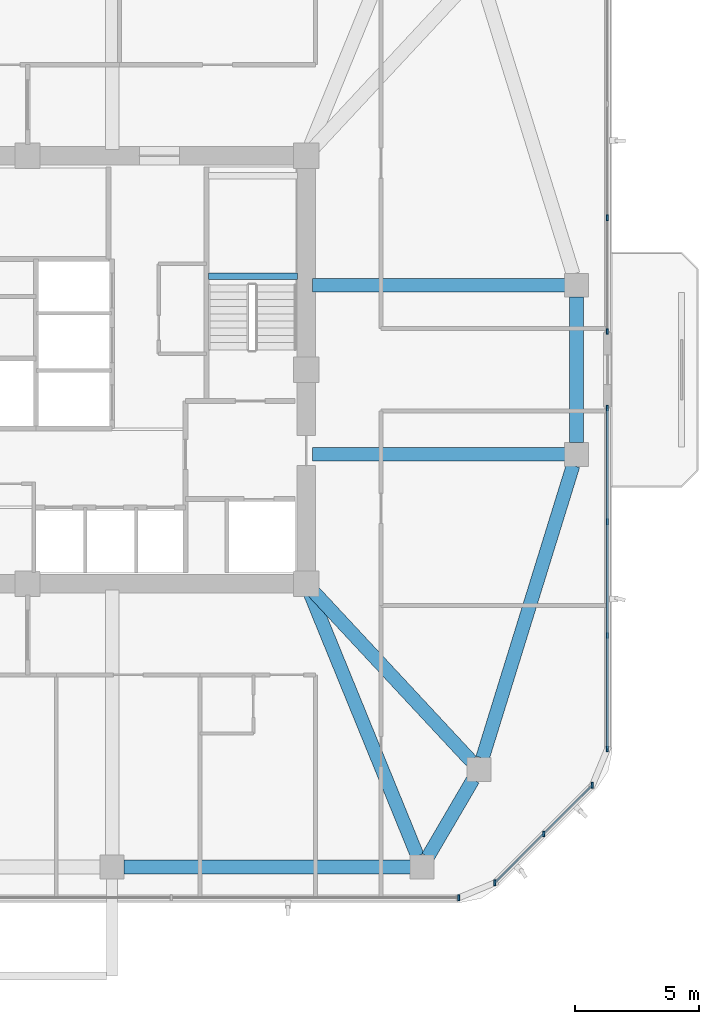
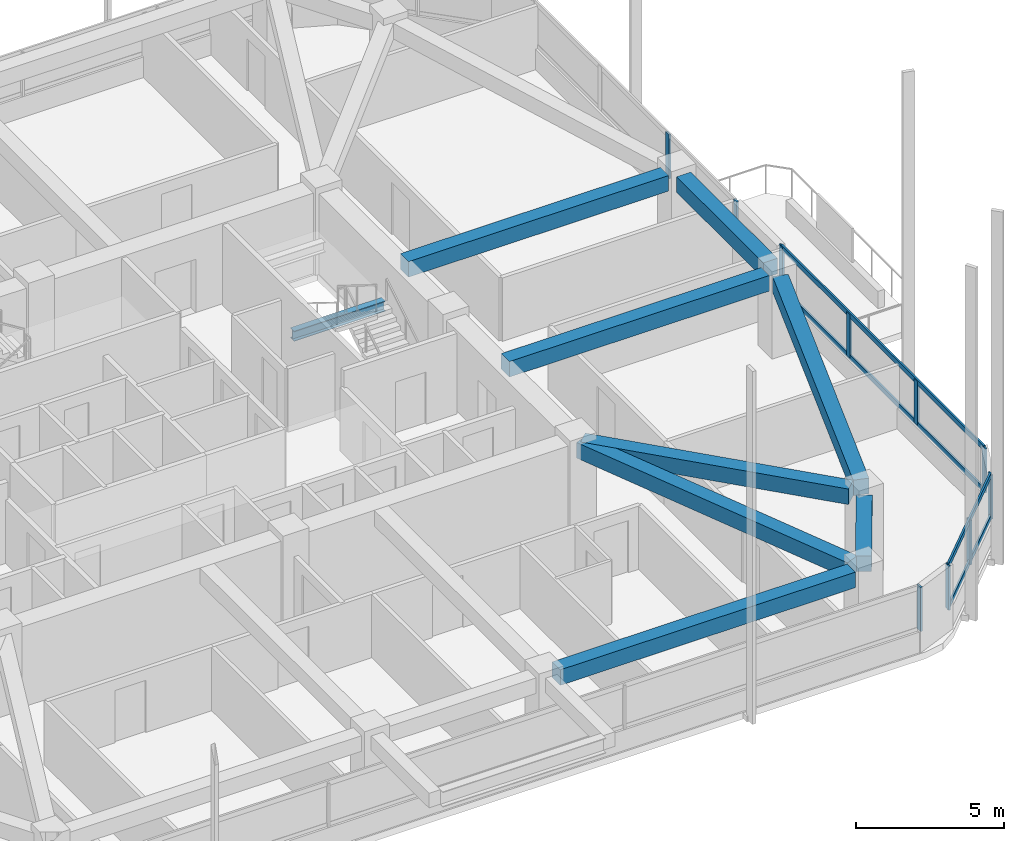
# One storey, part 4 of 14: 14 members, 9 beams, 4 elements without a shape of their own.
"""IFC4 building model written with IfcOpenShell, lengths in metres."""

from ifc_helpers import new_model, si_unit, derived_unit, direction, frame, origin, origin_2d, place, context, subcontext, project, spatial, rectangle, i_section, extrude, material, material_profile, profile_set, type_object, element, aggregate, save


model = new_model("IFC4")

# Units and contexts
model_context = context("Model", 3, precision=1e-05, world=origin(), true_north=direction((0.0, 1.0)))
body_context = subcontext(model_context, "Body", "Model", "MODEL_VIEW")
ifc_project = project(units=[si_unit("LENGTHUNIT", "METRE"), si_unit("AREAUNIT", "SQUARE_METRE"), si_unit("VOLUMEUNIT", "CUBIC_METRE"), si_unit("PLANEANGLEUNIT", "RADIAN"), si_unit("MASSUNIT", "GRAM", prefix="KILO"), derived_unit("THERMALTRANSMITTANCEUNIT", [(si_unit("POWERUNIT", "WATT"), 1), (si_unit("LENGTHUNIT", "METRE"), -2), (si_unit("THERMODYNAMICTEMPERATUREUNIT", "KELVIN"), -1)])], contexts=[model_context])

# Site, building, storey
site_placement = place(None, origin())
site = spatial("IfcSite", under=ifc_project, at=site_placement, CompositionType="ELEMENT")
building_placement = place(site_placement, origin())
building = spatial("IfcBuilding", under=site, at=building_placement, Name="Koralith Skygarden Medical Center", CompositionType="ELEMENT")
storey_placement = place(building_placement, frame((0.0, 0.0, 160.02001953125)))
storey = spatial("IfcBuildingStorey", under=building, at=storey_placement, Name="L41", CompositionType="ELEMENT", Elevation=160.02001953125)

# Curtain wall, member
ifc_material_1 = material(Name="Clear Laminated Glass", Category="glass")
curtain_wall_type = type_object("IfcCurtainWallType", Name="CW-4 Zone 3 Waist High-Wind Curtain Wall", PredefinedType="NOTDEFINED", material=ifc_material_1)
curtain_wall_1_placement = place(storey_placement, origin())
curtain_wall_1 = element("IfcCurtainWall", 1, at=curtain_wall_1_placement, inside=storey, type_object=curtain_wall_type, Name="Curtain Wall CW-L41-S", PredefinedType="NOTDEFINED")
ifc_material_2 = material(Name="Aluminium 6063-T6", Category="aluminium")
ifc_material_profile_1 = material_profile(ifc_material_2, rectangle(XDim=0.076904296875, YDim=0.22998046875, at=origin_2d()), Name="MUL77X230")
ifc_profile_set_1 = profile_set([ifc_material_profile_1], Name="Aluminium 6063-T6")
member_type_1 = type_object("IfcMemberType", Name="CW-4 Extruded Mullion 77x230", PredefinedType="MULLION", material=ifc_profile_set_1)
member_1_placement = place(storey_placement, frame((54.3291015625, 4.679931640625, 0.85009765625), z_axis=(0.0, 0.0, 1.0), x_axis=(1.0, 0.0, 0.0)))
member_1 = element("IfcMember", 2, at=member_1_placement, type_object=member_type_1, Name="CW-L41-S Mullion 4", PredefinedType="MULLION", context=body_context, shape_type="SweptSolid", body=[
    extrude(rectangle(XDim=0.076904296875, YDim=0.22998046875, at=origin_2d()), origin(), (0.0, 0.0, 1.0), 1.81982421875),
])
aggregate(curtain_wall_1, [member_1])

# Curtain wall, members
curtain_wall_2_placement = place(storey_placement, origin())
curtain_wall_2 = element("IfcCurtainWall", 3, at=curtain_wall_2_placement, inside=storey, type_object=curtain_wall_type, Name="Curtain Wall CW-L41-SE", PredefinedType="NOTDEFINED")
member_2_placement = place(storey_placement, frame((55.780029296875, 5.281005859375, 0.85009765625), z_axis=(0.0, 0.0, 1.0), x_axis=(1.0, 0.0, 0.0)))
member_2 = element("IfcMember", 4, at=member_2_placement, type_object=member_type_1, Name="CW-L41-SE Mullion 1", PredefinedType="MULLION", context=body_context, shape_type="SweptSolid", body=[
    extrude(rectangle(XDim=0.076904296875, YDim=0.22998046875, at=origin_2d()), origin(), (0.0, 0.0, 1.0), 1.81982421875),
])
member_3_placement = place(storey_placement, frame((57.741943359375, 7.241943359375, 0.85009765625), z_axis=(0.0, 0.0, 1.0), x_axis=(1.0, 0.0, 0.0)))
member_3 = element("IfcMember", 5, at=member_3_placement, type_object=member_type_1, Name="CW-L41-SE Mullion 2", PredefinedType="MULLION", context=body_context, shape_type="SweptSolid", body=[
    extrude(rectangle(XDim=0.076904296875, YDim=0.22998046875, at=origin_2d()), origin(), (0.0, 0.0, 1.0), 1.81982421875),
])
member_4_placement = place(storey_placement, frame((59.702880859375, 9.2041015625, 0.85009765625), z_axis=(0.0, 0.0, 1.0), x_axis=(1.0, 0.0, 0.0)))
member_4 = element("IfcMember", 6, at=member_4_placement, type_object=member_type_1, Name="CW-L41-SE Mullion 3", PredefinedType="MULLION", context=body_context, shape_type="SweptSolid", body=[
    extrude(rectangle(XDim=0.076904296875, YDim=0.22998046875, at=origin_2d()), origin(), (0.0, 0.0, 1.0), 1.81982421875),
])

curtain_wall_3_placement = place(storey_placement, origin())
curtain_wall_3 = element("IfcCurtainWall", 7, at=curtain_wall_3_placement, inside=storey, type_object=curtain_wall_type, Name="Curtain Wall CW-L41-E-L", PredefinedType="NOTDEFINED")
member_5_placement = place(storey_placement, frame((60.303955078125, 10.655029296875, 0.85009765625), z_axis=(0.0, 0.0, 1.0), x_axis=(1.0, 0.0, 0.0)))
member_5 = element("IfcMember", 8, at=member_5_placement, type_object=member_type_1, Name="CW-L41-E-L Mullion 1", PredefinedType="MULLION", context=body_context, shape_type="SweptSolid", body=[
    extrude(rectangle(XDim=0.076904296875, YDim=0.22998046875, at=origin_2d()), origin(), (0.0, 0.0, 1.0), 1.81982421875),
])
member_6_placement = place(storey_placement, frame((60.303955078125, 15.222900390625, 0.85009765625), z_axis=(0.0, 0.0, 1.0), x_axis=(1.0, 0.0, 0.0)))
member_6 = element("IfcMember", 9, at=member_6_placement, type_object=member_type_1, Name="CW-L41-E-L Mullion 2", PredefinedType="MULLION", context=body_context, shape_type="SweptSolid", body=[
    extrude(rectangle(XDim=0.076904296875, YDim=0.22998046875, at=origin_2d()), origin(), (0.0, 0.0, 1.0), 1.81982421875),
])
member_7_placement = place(storey_placement, frame((60.303955078125, 19.7919921875, 0.85009765625), z_axis=(0.0, 0.0, 1.0), x_axis=(1.0, 0.0, 0.0)))
member_7 = element("IfcMember", 10, at=member_7_placement, type_object=member_type_1, Name="CW-L41-E-L Mullion 3", PredefinedType="MULLION", context=body_context, shape_type="SweptSolid", body=[
    extrude(rectangle(XDim=0.076904296875, YDim=0.22998046875, at=origin_2d()), origin(), (0.0, 0.0, 1.0), 1.81982421875),
])
member_8_placement = place(storey_placement, frame((60.303955078125, 24.360107421875, 0.85009765625), z_axis=(0.0, 0.0, 1.0), x_axis=(1.0, 0.0, 0.0)))
member_8 = element("IfcMember", 11, at=member_8_placement, type_object=member_type_1, Name="CW-L41-E-L Mullion 4", PredefinedType="MULLION", context=body_context, shape_type="SweptSolid", body=[
    extrude(rectangle(XDim=0.076904296875, YDim=0.22998046875, at=origin_2d()), origin(), (0.0, 0.0, 1.0), 1.81982421875),
])

curtain_wall_4_placement = place(storey_placement, origin())
curtain_wall_4 = element("IfcCurtainWall", 12, at=curtain_wall_4_placement, inside=storey, type_object=curtain_wall_type, Name="Curtain Wall CW-L41-E-R", PredefinedType="NOTDEFINED")
member_9_placement = place(storey_placement, frame((60.303955078125, 27.43994140625, 0.85009765625), z_axis=(0.0, 0.0, 1.0), x_axis=(1.0, 0.0, 0.0)))
member_9 = element("IfcMember", 13, at=member_9_placement, type_object=member_type_1, Name="CW-L41-E-R Mullion 1", PredefinedType="MULLION", context=body_context, shape_type="SweptSolid", body=[
    extrude(rectangle(XDim=0.076904296875, YDim=0.22998046875, at=origin_2d()), origin(), (0.0, 0.0, 1.0), 1.81982421875),
])
member_10_placement = place(storey_placement, frame((60.303955078125, 32.008056640625, 0.85009765625), z_axis=(0.0, 0.0, 1.0), x_axis=(1.0, 0.0, 0.0)))
member_10 = element("IfcMember", 14, at=member_10_placement, type_object=member_type_1, Name="CW-L41-E-R Mullion 2", PredefinedType="MULLION", context=body_context, shape_type="SweptSolid", body=[
    extrude(rectangle(XDim=0.076904296875, YDim=0.22998046875, at=origin_2d()), origin(), (0.0, 0.0, 1.0), 1.81982421875),
])
aggregate(curtain_wall_4, [member_9, member_10])

# Member
ifc_material_profile_2 = material_profile(ifc_material_2, rectangle(XDim=0.072021484375, YDim=0.20703125, at=origin_2d()), Name="TRN72X207")
ifc_profile_set_2 = profile_set([ifc_material_profile_2], Name="Aluminium 6063-T6")
member_type_2 = type_object("IfcMemberType", Name="CW-4 Thermal Transom 72x207", PredefinedType="USERDEFINED", material=ifc_profile_set_2)
member_11_placement = place(storey_placement, frame((55.780029296875, 5.281005859375, 0.89990234375), z_axis=(0.707084777957, 0.707128783731, 0.0), x_axis=(-0.707128783731, 0.707084777957, 0.0)))
member_11 = element("IfcMember", 15, at=member_11_placement, type_object=member_type_2, Name="CW-L41-SE Transom 1", ObjectType="TRANSOM", PredefinedType="USERDEFINED", context=body_context, shape_type="SweptSolid", body=[
    extrude(rectangle(XDim=0.072021484375, YDim=0.20703125, at=origin_2d()), origin(), (0.0, 0.0, 1.0), 5.5478515625),
])

member_12_placement = place(storey_placement, frame((55.780029296875, 5.281005859375, 2.619873046875), z_axis=(0.707084777957, 0.707128783731, 0.0), x_axis=(-0.707128783731, 0.707084777957, 0.0)))
member_12 = element("IfcMember", 16, at=member_12_placement, type_object=member_type_2, Name="CW-L41-SE Transom 2", ObjectType="TRANSOM", PredefinedType="USERDEFINED", context=body_context, shape_type="SweptSolid", body=[
    extrude(rectangle(XDim=0.072021484375, YDim=0.20703125, at=origin_2d()), origin(), (0.0, 0.0, 1.0), 5.5478515625),
])

aggregate(curtain_wall_2, [member_2, member_3, member_4, member_11, member_12])

member_13_placement = place(storey_placement, frame((60.303955078125, 10.655029296875, 0.89990234375), z_axis=(0.0, 1.0, 0.0), x_axis=(-1.0, 0.0, 0.0)))
member_13 = element("IfcMember", 17, at=member_13_placement, type_object=member_type_2, Name="CW-L41-E-L Transom 1", ObjectType="TRANSOM", PredefinedType="USERDEFINED", context=body_context, shape_type="SweptSolid", body=[
    extrude(rectangle(XDim=0.072021484375, YDim=0.20703125, at=origin_2d()), origin(), (0.0, 0.0, 1.0), 13.705078125),
])

member_14_placement = place(storey_placement, frame((60.303955078125, 10.655029296875, 2.619873046875), z_axis=(0.0, 1.0, 0.0), x_axis=(-1.0, 0.0, 0.0)))
member_14 = element("IfcMember", 18, at=member_14_placement, type_object=member_type_2, Name="CW-L41-E-L Transom 2", ObjectType="TRANSOM", PredefinedType="USERDEFINED", context=body_context, shape_type="SweptSolid", body=[
    extrude(rectangle(XDim=0.072021484375, YDim=0.20703125, at=origin_2d()), origin(), (0.0, 0.0, 1.0), 13.705078125),
])

aggregate(curtain_wall_3, [member_5, member_6, member_7, member_8, member_13, member_14])

# Beams
ifc_material_3 = material(Name="Steel ASTM A992 Grade 50", Category="steel")
ifc_material_profile_3 = material_profile(ifc_material_3, i_section(OverallWidth=0.260009765625, OverallDepth=0.4150390625, WebThickness=0.010009765625, FlangeThickness=0.016845703125, at=origin_2d()), Name="W16X67")
ifc_profile_set_3 = profile_set([ifc_material_profile_3], Name="Steel ASTM A992 Grade 50")
beam_type_1 = type_object("IfcBeamType", Name="Clinical Floor Joist W16X67", PredefinedType="JOIST", material=ifc_profile_set_3)
beam_1_placement = place(storey_placement, frame((44.280029296875, 29.659912109375, 1.39208984375), z_axis=(1.0, 0.0, 0.0), x_axis=(0.0, 1.0, 0.0)))
element("IfcBeam", 19, at=beam_1_placement, inside=storey, type_object=beam_type_1, Name="L41 Stair ST2 Half-Landing Support Beam 1A", PredefinedType="JOIST", context=body_context, shape_type="SweptSolid", body=[
    extrude(i_section(OverallWidth=0.260009765625, OverallDepth=0.4150390625, WebThickness=0.010009765625, FlangeThickness=0.016845703125, at=origin_2d()), origin(), (0.0, 0.0, 1.0), 3.56494140625),
])
ifc_material_4 = material(Name="Concrete C45/55", Category="concrete")
ifc_material_profile_4 = material_profile(ifc_material_4, rectangle(XDim=0.550048828125, YDim=0.639892578125, at=origin_2d()), Name="RCB550X640")
ifc_profile_set_4 = profile_set([ifc_material_profile_4], Name="Concrete C45/55")
beam_type_2 = type_object("IfcBeamType", Name="Radial Collector Beam RCB550X640", PredefinedType="BEAM", material=ifc_profile_set_4)
beam_2_placement = place(storey_placement, frame((48.294921875, 17.069091796875, 3.0), z_axis=(0.378344544364, -0.92566484526, 0.0), x_axis=(0.92566484526, 0.378344544364, 0.0)))
element("IfcBeam", 20, at=beam_2_placement, inside=storey, type_object=beam_type_2, Name="L41 Radial Collector Beam RB-06", PredefinedType="BEAM", context=body_context, shape_type="SweptSolid", body=[
    extrude(rectangle(XDim=0.550048828125, YDim=0.639892578125, at=origin_2d()), origin(), (0.0, 0.0, 1.0), 11.574462890625),
])
beam_3_placement = place(storey_placement, frame((48.3701171875, 17.116943359375, 3.0), z_axis=(0.681369011591, -0.731940072713, 0.0), x_axis=(0.731940072713, 0.681369011591, 0.0)))
element("IfcBeam", 21, at=beam_3_placement, inside=storey, type_object=beam_type_2, Name="L41 Radial Collector Beam RB-07", PredefinedType="BEAM", context=body_context, shape_type="SweptSolid", body=[
    extrude(rectangle(XDim=0.550048828125, YDim=0.639892578125, at=origin_2d()), origin(), (0.0, 0.0, 1.0), 9.471923828125),
])
for number, where, z_axis, x_axis, name in (
    (22, (48.449951171875, 22.5, 3.0), (1.0, 0.0, 0.0), (0.0, 1.0, 0.0), "L41 Radial Collector Beam RB-08"),
    (23, (48.449951171875, 29.300048828125, 3.0), (1.0, 0.0, 0.0), (0.0, 1.0, 0.0), "L41 Radial Collector Beam RB-09"),
):
    element("IfcBeam", number, at=place(storey_placement, frame(where, z_axis=z_axis, x_axis=x_axis)), inside=storey, type_object=beam_type_2, Name=name, PredefinedType="BEAM", context=body_context, shape_type="SweptSolid", body=[
        extrude(rectangle(XDim=0.550048828125, YDim=0.639892578125, at=origin_2d()), origin(), (0.0, 0.0, 1.0), 10.14404296875),
    ])
ifc_material_profile_5 = material_profile(ifc_material_4, rectangle(XDim=0.550048828125, YDim=0.639892578125, at=origin_2d()), Name="RCB550X640")
ifc_profile_set_5 = profile_set([ifc_material_profile_5], Name="Concrete C45/55")
beam_type_3 = type_object("IfcBeamType", Name="Zone 2-3 Spandrel Beam RCB550X640", PredefinedType="SPANDREL", material=ifc_profile_set_5)
beam_4_placement = place(storey_placement, frame((40.8701171875, 5.919921875, 3.0), z_axis=(1.0, 0.0, 0.0), x_axis=(0.0, 1.0, 0.0)))
element("IfcBeam", 24, at=beam_4_placement, inside=storey, type_object=beam_type_3, Name="L41 Perimeter Spandrel Beam SP-05", PredefinedType="SPANDREL", context=body_context, shape_type="SweptSolid", body=[
    extrude(rectangle(XDim=0.550048828125, YDim=0.639892578125, at=origin_2d()), origin(), (0.0, 0.0, 1.0), 11.511962890625),
])
beam_5_placement = place(storey_placement, frame((53.089111328125, 6.325927734375, 3.0), z_axis=(0.504861391295, 0.863200426077, 0.0), x_axis=(-0.863200426077, 0.504861391295, 0.0)))
element("IfcBeam", 25, at=beam_5_placement, inside=storey, type_object=beam_type_3, Name="L41 Perimeter Spandrel Beam SP-06", PredefinedType="SPANDREL", context=body_context, shape_type="SweptSolid", body=[
    extrude(rectangle(XDim=0.550048828125, YDim=0.639892578125, at=origin_2d()), origin(), (0.0, 0.0, 1.0), 3.600830078125),
])
beam_6_placement = place(storey_placement, frame((55.282958984375, 10.2890625, 3.0), z_axis=(0.295793585147, 0.955251880389, 0.0), x_axis=(-0.955251880389, 0.295793585147, 0.0)))
element("IfcBeam", 26, at=beam_6_placement, inside=storey, type_object=beam_type_3, Name="L41 Perimeter Spandrel Beam SP-07", PredefinedType="SPANDREL", context=body_context, shape_type="SweptSolid", body=[
    extrude(rectangle(XDim=0.550048828125, YDim=0.639892578125, at=origin_2d()), origin(), (0.0, 0.0, 1.0), 12.31298828125),
])
beam_7_placement = place(storey_placement, frame((59.06396484375, 22.969970703125, 3.0), z_axis=(0.0, 1.0, 0.0), x_axis=(-1.0, 0.0, 0.0)))
element("IfcBeam", 27, at=beam_7_placement, inside=storey, type_object=beam_type_3, Name="L41 Perimeter Spandrel Beam SP-08", PredefinedType="SPANDREL", context=body_context, shape_type="SweptSolid", body=[
    extrude(rectangle(XDim=0.550048828125, YDim=0.639892578125, at=origin_2d()), origin(), (0.0, 0.0, 1.0), 5.860107421875),
])

save(model, "model.ifc")
